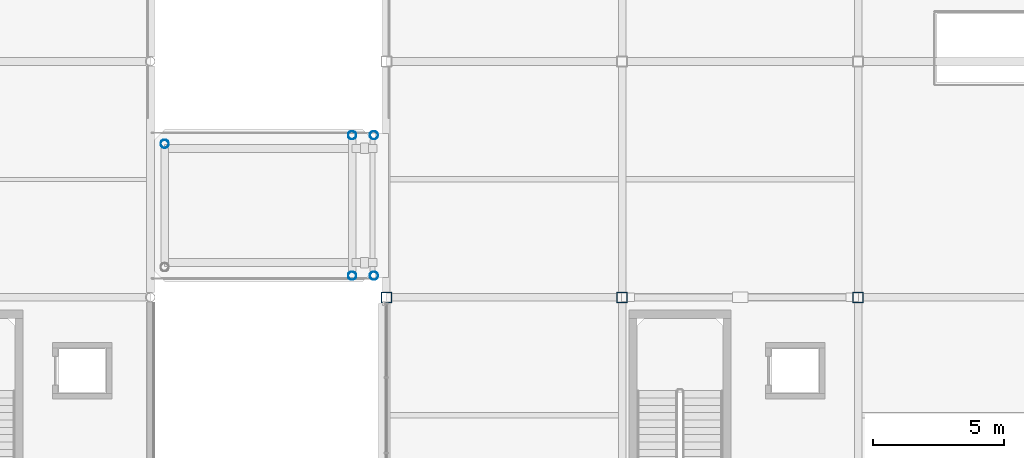
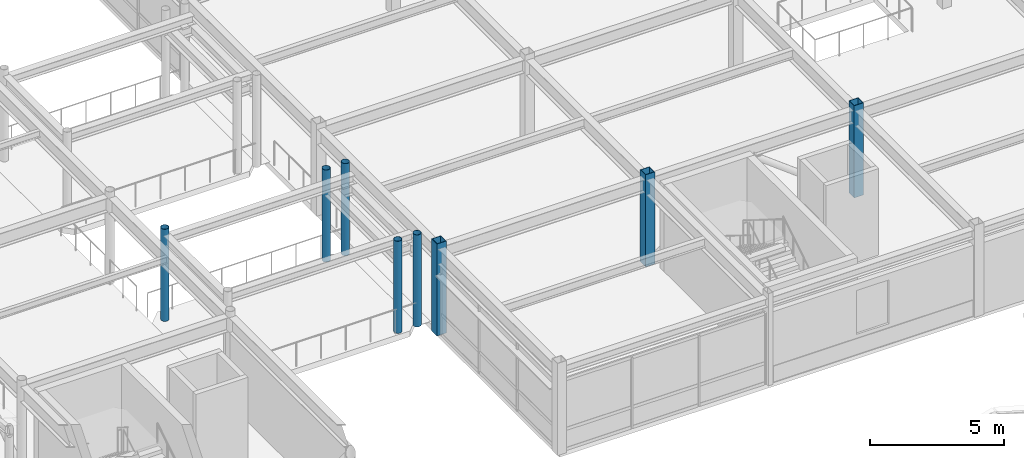
# One storey, part 10 of 108: 8 columns.
"""IFC4 building model written with IfcOpenShell, lengths in metres."""

from ifc_helpers import new_model, si_unit, direction, frame, origin, origin_2d, place, context, subcontext, project, spatial, hollow_rectangle, hollow_circle, extrude, material, material_profile, profile_set, type_object, element, save


model = new_model("IFC4")

# Units and contexts
model_context = context("Model", 3, precision=1e-05, world=origin(), true_north=direction((0.0, 1.0)))
body_context = subcontext(model_context, "Body", "Model", "MODEL_VIEW")
ifc_project = project(units=[si_unit("LENGTHUNIT", "METRE"), si_unit("AREAUNIT", "SQUARE_METRE"), si_unit("VOLUMEUNIT", "CUBIC_METRE"), si_unit("PLANEANGLEUNIT", "RADIAN"), si_unit("MASSUNIT", "GRAM", prefix="KILO")], contexts=[model_context])

# Site, building, storey
site_placement = place(None, origin())
site = spatial("IfcSite", under=ifc_project, at=site_placement, CompositionType="ELEMENT")
building_placement = place(site_placement, origin())
building = spatial("IfcBuilding", under=site, at=building_placement, Name="Suzunagisa Mobility Hub", CompositionType="ELEMENT")
storey_placement = place(building_placement, frame((0.0, 0.0, 9.300048828125)))
storey = spatial("IfcBuildingStorey", under=building, at=storey_placement, Name="L02", CompositionType="ELEMENT", Elevation=9.300048828125)

# Columns
ifc_material = material(Name="Steel SN490B", Category="steel")
ifc_material_profile_1 = material_profile(ifc_material, hollow_circle(Radius=0.1591796875, WallThickness=0.01025390625, at=origin_2d()), Name="CHS-318.5x10.3")
ifc_profile_set_1 = profile_set([ifc_material_profile_1], Name="Steel SN490B")
column_type_1 = type_object("IfcColumnType", Name="Steel Column CL-09 CHS-318.5x10.3", PredefinedType="COLUMN", material=ifc_profile_set_1)
for number, where, z_axis, x_axis, name in (
    (1, (36.550048828125, 94.85009765625, 0.0), (0.0, 0.0, 1.0), (1.0, 0.0, 0.0), "L02 Column 93"),
    (2, (43.699951171875, 89.820068359375, 0.0), (0.0, 0.0, 1.0), (1.0, 0.0, 0.0), "L02 Column 105"),
    (3, (43.699951171875, 95.179931640625, 0.0), (0.0, 0.0, 1.0), (1.0, 0.0, 0.0), "L02 Column 106"),
    (4, (44.530029296875, 89.820068359375, 0.0), (0.0, 0.0, 1.0), (1.0, 0.0, 0.0), "L02 Column 111"),
    (5, (44.530029296875, 95.179931640625, 0.0), (0.0, 0.0, 1.0), (1.0, 0.0, 0.0), "L02 Column 112"),
):
    element("IfcColumn", number, at=place(storey_placement, frame(where, z_axis=z_axis, x_axis=x_axis)), inside=storey, type_object=column_type_1, Name=name, PredefinedType="COLUMN", context=body_context, shape_type="SweptSolid", body=[
        extrude(hollow_circle(Radius=0.1591796875, WallThickness=0.01025390625, at=origin_2d()), origin(), (0.0, 0.0, 1.0), 4.199951171875),
    ])
ifc_material_profile_2 = material_profile(ifc_material, hollow_rectangle(XDim=0.39990234375, YDim=0.39990234375, WallThickness=0.01904296875, at=origin_2d()), Name="BCR-400x400x19")
ifc_profile_set_2 = profile_set([ifc_material_profile_2], Name="Steel SN490B")
column_type_2 = type_object("IfcColumnType", Name="Steel Column CL-13 BCR-400x400x19", PredefinedType="COLUMN", material=ifc_profile_set_2)
for number, where, z_axis, x_axis, name in (
    (6, (45.0, 89.0, 0.0), (0.0, 0.0, 1.0), (1.0, 0.0, 0.0), "L02 Column 119"),
    (7, (54.0, 89.0, 0.0), (0.0, 0.0, 1.0), (1.0, 0.0, 0.0), "L02 Column 130"),
    (8, (63.0, 89.0, 0.0), (0.0, 0.0, 1.0), (1.0, 0.0, 0.0), "L02 Column 139"),
):
    element("IfcColumn", number, at=place(storey_placement, frame(where, z_axis=z_axis, x_axis=x_axis)), inside=storey, type_object=column_type_2, Name=name, PredefinedType="COLUMN", context=body_context, shape_type="SweptSolid", body=[
        extrude(hollow_rectangle(XDim=0.39990234375, YDim=0.39990234375, WallThickness=0.01904296875, at=origin_2d()), origin(), (0.0, 0.0, 1.0), 4.199951171875),
    ])

save(model, "model.ifc")
